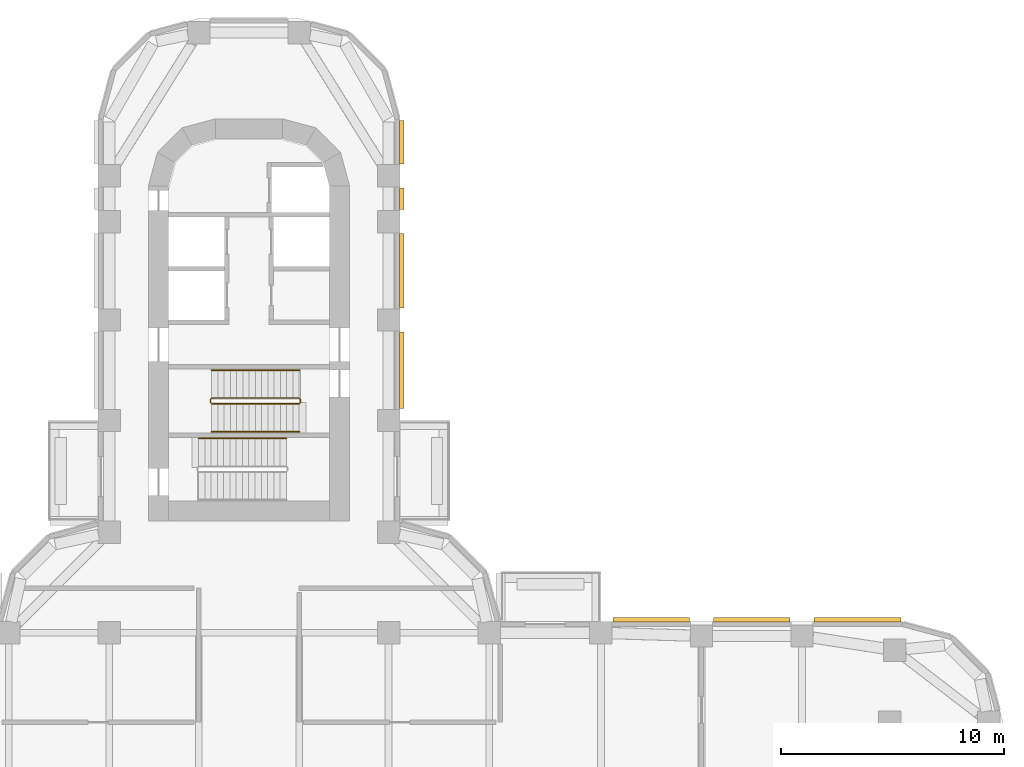
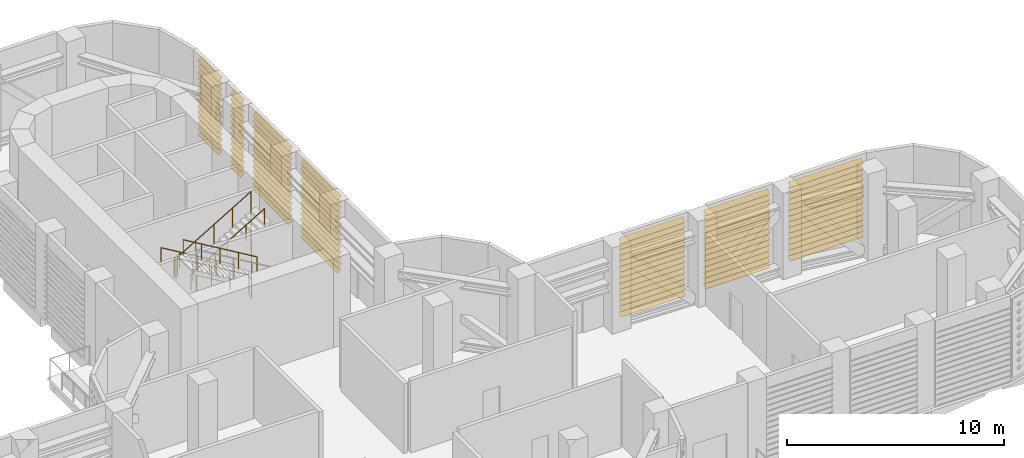
# One storey, part 17 of 20: 7 shading devices, 4 railings.
"""IFC4 building model written with IfcOpenShell, lengths in metres."""

from ifc_helpers import new_model, si_unit, direction, frame, origin, origin_2d, place, context, subcontext, project, spatial, polyline, circle, outline, extrude, source, transform, mapped, material, type_object, element, save


model = new_model("IFC4")

# Units and contexts
model_context = context("Model", 3, precision=1e-05, world=origin(), true_north=direction((0.0, 1.0)))
body_context = subcontext(model_context, "Body", "Model", "MODEL_VIEW")
ifc_project = project(units=[si_unit("LENGTHUNIT", "METRE"), si_unit("AREAUNIT", "SQUARE_METRE"), si_unit("VOLUMEUNIT", "CUBIC_METRE"), si_unit("PLANEANGLEUNIT", "RADIAN"), si_unit("MASSUNIT", "GRAM", prefix="KILO")], contexts=[model_context])

# Site, building, storey
site_placement = place(None, origin())
site = spatial("IfcSite", under=ifc_project, at=site_placement, CompositionType="ELEMENT")
building_placement = place(site_placement, origin())
building = spatial("IfcBuilding", under=site, at=building_placement, Name="Zarbagh Exchange Tower", CompositionType="ELEMENT")
storey_placement = place(building_placement, frame((0.0, 0.0, 81.60009765625)))
storey = spatial("IfcBuildingStorey", under=building, at=storey_placement, Name="L18", CompositionType="ELEMENT", Elevation=81.60009765625)

# Railings
ifc_material_1 = material(Name="Stainless steel", Category="steel")
railing_type_1 = type_object("IfcRailingType", Name="Stair guard 1100 mm", PredefinedType="GUARDRAIL", material=ifc_material_1)
railing_1_placement = place(storey_placement, frame((-1.669921875, 16.5, 2.66650390625)))
element("IfcRailing", 1, at=railing_1_placement, inside=storey, type_object=railing_type_1, Name="ST1 stair guard 1", PredefinedType="GUARDRAIL", context=body_context, shape_type="SweptSolid", body=[
    extrude(circle(Radius=0.02392578125, at=origin_2d()), frame((0.0, 0.0, 1.076171875), z_axis=(0.859272722373, 0.0, 0.511517730471), x_axis=(0.0, 1.0, 0.0)), (0.0, 0.0, 1.0), 4.56201171875),
    extrude(circle(Radius=0.02392578125, at=origin_2d()), frame((3.919921875, 0.0, 3.40966796875), z_axis=(0.010008762843, 0.010008762843, -0.999899819648), x_axis=(-0.707106781187, 0.707106781187, 0.0)), (0.0, 0.0, 1.0), 5.00048828125),
    extrude(circle(Radius=0.02392578125, at=origin_2d()), frame((3.969970703125, 0.050048828125, -1.59033203125), z_axis=(0.0, 1.0, 0.0), x_axis=(-1.0, 0.0, 0.0)), (0.0, 0.0, 1.0), 0.14990234375),
    extrude(circle(Radius=0.02392578125, at=origin_2d()), frame((3.969970703125, 0.199951171875, -1.59033203125), z_axis=(-0.27662974545, 0.27662974545, 0.920299933644), x_axis=(-0.707106781187, -0.707106781187, 0.0)), (0.0, 0.0, 1.0), 0.180908203125),
    extrude(circle(Radius=0.02392578125, at=origin_2d()), frame((3.919921875, 0.25, -1.423828125), z_axis=(-0.859272722373, 0.0, 0.511517730471), x_axis=(0.0, -1.0, 0.0)), (0.0, 0.0, 1.0), 4.56201171875),
    extrude(circle(Radius=0.02392578125, at=origin_2d()), frame((0.0, 0.25, 0.90966796875), z_axis=(-0.707106781187, -0.707106781187, 0.0), x_axis=(0.707106781187, -0.707106781187, 0.0)), (0.0, 0.0, 1.0), 0.07080078125),
    extrude(circle(Radius=0.02392578125, at=origin_2d()), frame((-0.050048828125, 0.199951171875, 0.90966796875), z_axis=(0.0, -1.0, 0.0), x_axis=(1.0, 0.0, 0.0)), (0.0, 0.0, 1.0), 0.14990234375),
    extrude(circle(Radius=0.02099609375, at=origin_2d()), origin(), (0.0, 0.0, 1.0), 1.052001953125),
    extrude(circle(Radius=0.02099609375, at=origin_2d()), frame((0.97998046875, 0.0, 0.58349609375)), (0.0, 0.0, 1.0), 1.052001953125),
    extrude(circle(Radius=0.02099609375, at=origin_2d()), frame((1.9599609375, 0.0, 1.166748046875)), (0.0, 0.0, 1.0), 1.052001953125),
    extrude(circle(Radius=0.02099609375, at=origin_2d()), frame((2.93994140625, 0.0, 1.75)), (0.0, 0.0, 1.0), 1.052001953125),
    extrude(circle(Radius=0.02099609375, at=origin_2d()), frame((3.919921875, 0.0, 2.33349609375)), (0.0, 0.0, 1.0), 1.052001953125),
    extrude(circle(Radius=0.02099609375, at=origin_2d()), frame((3.929931640625, 0.010009765625, 1.33349609375)), (0.0, 0.0, 1.0), 1.052001953125),
    extrude(circle(Radius=0.02099609375, at=origin_2d()), frame((3.93994140625, 0.02001953125, 0.33349609375)), (0.0, 0.0, 1.0), 1.052001953125),
    extrude(circle(Radius=0.02099609375, at=origin_2d()), frame((3.949951171875, 0.030029296875, -0.66650390625)), (0.0, 0.0, 1.0), 1.052001953125),
    extrude(circle(Radius=0.02099609375, at=origin_2d()), frame((3.9599609375, 0.0400390625, -1.66650390625)), (0.0, 0.0, 1.0), 1.052001953125),
    extrude(circle(Radius=0.02099609375, at=origin_2d()), frame((3.969970703125, 0.050048828125, -2.66650390625)), (0.0, 0.0, 1.0), 1.052001953125),
    extrude(circle(Radius=0.02099609375, at=origin_2d()), frame((3.969970703125, 0.199951171875, -2.66650390625)), (0.0, 0.0, 1.0), 1.052001953125),
    extrude(circle(Radius=0.02099609375, at=origin_2d()), frame((3.919921875, 0.25, -2.5)), (0.0, 0.0, 1.0), 1.052001953125),
    extrude(circle(Radius=0.02099609375, at=origin_2d()), frame((2.93994140625, 0.25, -1.91650390625)), (0.0, 0.0, 1.0), 1.052001953125),
    extrude(circle(Radius=0.02099609375, at=origin_2d()), frame((1.9599609375, 0.25, -1.333251953125)), (0.0, 0.0, 1.0), 1.052001953125),
    extrude(circle(Radius=0.02099609375, at=origin_2d()), frame((0.97998046875, 0.25, -0.75)), (0.0, 0.0, 1.0), 1.052001953125),
    extrude(circle(Radius=0.02099609375, at=origin_2d()), frame((0.0, 0.25, -0.16650390625)), (0.0, 0.0, 1.0), 1.052001953125),
    extrude(circle(Radius=0.02099609375, at=origin_2d()), frame((-0.050048828125, 0.199951171875, -0.16650390625)), (0.0, 0.0, 1.0), 1.052001953125),
    extrude(circle(Radius=0.02099609375, at=origin_2d()), frame((-0.050048828125, 0.050048828125, -0.16650390625)), (0.0, 0.0, 1.0), 1.052001953125),
])
railing_type_2 = type_object("IfcRailingType", Name="Stair handrail 900 mm", PredefinedType="HANDRAIL", material=ifc_material_1)
railing_2_placement = place(storey_placement, frame((2.25, 18.0, 0.16650390625)))
element("IfcRailing", 2, at=railing_2_placement, inside=storey, type_object=railing_type_2, Name="ST1 stair handrail 1", PredefinedType="HANDRAIL", context=body_context, shape_type="SweptSolid", body=[
    extrude(circle(Radius=0.02392578125, at=origin_2d()), frame((0.0, 0.0, 0.8759765625), z_axis=(-0.859272722373, 0.0, 0.511517730471), x_axis=(0.0, -1.0, 0.0)), (0.0, 0.0, 1.0), 4.56201171875),
    extrude(circle(Radius=0.02099609375, at=origin_2d()), origin(), (0.0, 0.0, 1.0), 0.851806640625),
    extrude(circle(Radius=0.02099609375, at=origin_2d()), frame((-0.97998046875, 0.0, 0.58349609375)), (0.0, 0.0, 1.0), 0.851806640625),
    extrude(circle(Radius=0.02099609375, at=origin_2d()), frame((-1.9599609375, 0.0, 1.166748046875)), (0.0, 0.0, 1.0), 0.851806640625),
    extrude(circle(Radius=0.02099609375, at=origin_2d()), frame((-2.93994140625, 0.0, 1.75)), (0.0, 0.0, 1.0), 0.851806640625),
    extrude(circle(Radius=0.02099609375, at=origin_2d()), frame((-3.919921875, 0.0, 2.33349609375)), (0.0, 0.0, 1.0), 0.851806640625),
])
railing_3_placement = place(storey_placement, frame((-1.669921875, 15.25, 2.66650390625)))
element("IfcRailing", 3, at=railing_3_placement, inside=storey, type_object=railing_type_2, Name="ST1 stair handrail 2", PredefinedType="HANDRAIL", context=body_context, shape_type="SweptSolid", body=[
    extrude(circle(Radius=0.02392578125, at=origin_2d()), frame((0.0, 0.0, 0.8759765625), z_axis=(0.859272722373, 0.0, 0.511517730471), x_axis=(0.0, 1.0, 0.0)), (0.0, 0.0, 1.0), 4.56201171875),
    extrude(circle(Radius=0.02099609375, at=origin_2d()), origin(), (0.0, 0.0, 1.0), 0.851806640625),
    extrude(circle(Radius=0.02099609375, at=origin_2d()), frame((0.97998046875, 0.0, 0.58349609375)), (0.0, 0.0, 1.0), 0.851806640625),
    extrude(circle(Radius=0.02099609375, at=origin_2d()), frame((1.9599609375, 0.0, 1.166748046875)), (0.0, 0.0, 1.0), 0.851806640625),
    extrude(circle(Radius=0.02099609375, at=origin_2d()), frame((2.93994140625, 0.0, 1.75)), (0.0, 0.0, 1.0), 0.851806640625),
    extrude(circle(Radius=0.02099609375, at=origin_2d()), frame((3.919921875, 0.0, 2.33349609375)), (0.0, 0.0, 1.0), 0.851806640625),
])
railing_4_placement = place(storey_placement, frame((1.669921875, 14.949951171875, 2.66650390625)))
element("IfcRailing", 4, at=railing_4_placement, inside=storey, type_object=railing_type_2, Name="ST2 stair handrail 2", PredefinedType="HANDRAIL", context=body_context, shape_type="SweptSolid", body=[
    extrude(circle(Radius=0.02392578125, at=origin_2d()), frame((0.0, 0.0, 0.8759765625), z_axis=(-0.859272722373, 0.0, 0.511517730471), x_axis=(0.0, -1.0, 0.0)), (0.0, 0.0, 1.0), 4.56201171875),
    extrude(circle(Radius=0.02099609375, at=origin_2d()), origin(), (0.0, 0.0, 1.0), 0.851806640625),
    extrude(circle(Radius=0.02099609375, at=origin_2d()), frame((-0.97998046875, 0.0, 0.58349609375)), (0.0, 0.0, 1.0), 0.851806640625),
    extrude(circle(Radius=0.02099609375, at=origin_2d()), frame((-1.9599609375, 0.0, 1.166748046875)), (0.0, 0.0, 1.0), 0.851806640625),
    extrude(circle(Radius=0.02099609375, at=origin_2d()), frame((-2.93994140625, 0.0, 1.75)), (0.0, 0.0, 1.0), 0.851806640625),
    extrude(circle(Radius=0.02099609375, at=origin_2d()), frame((-3.919921875, 0.0, 2.33349609375)), (0.0, 0.0, 1.0), 0.851806640625),
])

# Shading devices
ifc_material_2 = material(Name="Anodised aluminium", Category="aluminium")
shading_device_type = type_object("IfcShadingDeviceType", Name="LOUVRE plant louvre, fixed blades", PredefinedType="USERDEFINED", material=ifc_material_2)
shared_shape_1 = source(origin(), body_context, "Body", "SweptSolid", [
    extrude(outline(polyline([(0.0, 0.199951171875), (0.199951171875, 0.0), (0.199951171875, -0.02001953125), (0.0, 0.179931640625), (0.0, 0.199951171875)])), origin(), (0.0, 0.0, 1.0), 3.320068359375),
])
placement = place(storey_placement, origin())
element("IfcShadingDevice", 5, at=placement, inside=storey, type_object=shading_device_type, Name="LV04 plant louvre", ObjectType="LOUVRE", PredefinedType="USERDEFINED", context=body_context, shape_type="MappedRepresentation", body=[
    mapped(shared_shape_1, transform((6.72998046875, 20.7900390625, 0.199951171875), x_axis=(1.0, 0.0, 0.0), y_axis=(0.0, 0.0, -1.0), z_axis=(0.0, 1.0, 0.0))),
    mapped(shared_shape_1, transform((6.72998046875, 20.7900390625, 0.517822265625), x_axis=(1.0, 0.0, 0.0), y_axis=(0.0, 0.0, -1.0), z_axis=(0.0, 1.0, 0.0))),
    mapped(shared_shape_1, transform((6.72998046875, 20.7900390625, 0.835693359375), x_axis=(1.0, 0.0, 0.0), y_axis=(0.0, 0.0, -1.0), z_axis=(0.0, 1.0, 0.0))),
    mapped(shared_shape_1, transform((6.72998046875, 20.7900390625, 1.153564453125), x_axis=(1.0, 0.0, 0.0), y_axis=(0.0, 0.0, -1.0), z_axis=(0.0, 1.0, 0.0))),
    mapped(shared_shape_1, transform((6.72998046875, 20.7900390625, 1.471435546875), x_axis=(1.0, 0.0, 0.0), y_axis=(0.0, 0.0, -1.0), z_axis=(0.0, 1.0, 0.0))),
    mapped(shared_shape_1, transform((6.72998046875, 20.7900390625, 1.789306640625), x_axis=(1.0, 0.0, 0.0), y_axis=(0.0, 0.0, -1.0), z_axis=(0.0, 1.0, 0.0))),
    mapped(shared_shape_1, transform((6.72998046875, 20.7900390625, 2.10693359375), x_axis=(1.0, 0.0, 0.0), y_axis=(0.0, 0.0, -1.0), z_axis=(0.0, 1.0, 0.0))),
    mapped(shared_shape_1, transform((6.72998046875, 20.7900390625, 2.4248046875), x_axis=(1.0, 0.0, 0.0), y_axis=(0.0, 0.0, -1.0), z_axis=(0.0, 1.0, 0.0))),
    mapped(shared_shape_1, transform((6.72998046875, 20.7900390625, 2.74267578125), x_axis=(1.0, 0.0, 0.0), y_axis=(0.0, 0.0, -1.0), z_axis=(0.0, 1.0, 0.0))),
    mapped(shared_shape_1, transform((6.72998046875, 20.7900390625, 3.060546875), x_axis=(1.0, 0.0, 0.0), y_axis=(0.0, 0.0, -1.0), z_axis=(0.0, 1.0, 0.0))),
    mapped(shared_shape_1, transform((6.72998046875, 20.7900390625, 3.37841796875), x_axis=(1.0, 0.0, 0.0), y_axis=(0.0, 0.0, -1.0), z_axis=(0.0, 1.0, 0.0))),
    mapped(shared_shape_1, transform((6.72998046875, 20.7900390625, 3.6962890625), x_axis=(1.0, 0.0, 0.0), y_axis=(0.0, 0.0, -1.0), z_axis=(0.0, 1.0, 0.0))),
    mapped(shared_shape_1, transform((6.72998046875, 20.7900390625, 4.01416015625), x_axis=(1.0, 0.0, 0.0), y_axis=(0.0, 0.0, -1.0), z_axis=(0.0, 1.0, 0.0))),
    mapped(shared_shape_1, transform((6.72998046875, 20.7900390625, 4.33203125), x_axis=(1.0, 0.0, 0.0), y_axis=(0.0, 0.0, -1.0), z_axis=(0.0, 1.0, 0.0))),
])
shared_shape_2 = source(origin(), body_context, "Body", "SweptSolid", [
    extrude(outline(polyline([(0.0, 0.199951171875), (0.199951171875, 0.0), (0.199951171875, -0.02001953125), (0.0, 0.179931640625), (0.0, 0.199951171875)])), origin(), (0.0, 0.0, 1.0), 3.419921875),
])
element("IfcShadingDevice", 6, at=placement, inside=storey, type_object=shading_device_type, Name="LV03 plant louvre", ObjectType="LOUVRE", PredefinedType="USERDEFINED", context=body_context, shape_type="MappedRepresentation", body=[
    mapped(shared_shape_2, transform((24.2099609375, 6.72998046875, 0.199951171875), x_axis=(0.0, 1.0, 0.0), y_axis=(0.0, 0.0, -1.0), z_axis=(-1.0, 0.0, 0.0))),
    mapped(shared_shape_2, transform((24.2099609375, 6.72998046875, 0.517822265625), x_axis=(0.0, 1.0, 0.0), y_axis=(0.0, 0.0, -1.0), z_axis=(-1.0, 0.0, 0.0))),
    mapped(shared_shape_2, transform((24.2099609375, 6.72998046875, 0.835693359375), x_axis=(0.0, 1.0, 0.0), y_axis=(0.0, 0.0, -1.0), z_axis=(-1.0, 0.0, 0.0))),
    mapped(shared_shape_2, transform((24.2099609375, 6.72998046875, 1.153564453125), x_axis=(0.0, 1.0, 0.0), y_axis=(0.0, 0.0, -1.0), z_axis=(-1.0, 0.0, 0.0))),
    mapped(shared_shape_2, transform((24.2099609375, 6.72998046875, 1.471435546875), x_axis=(0.0, 1.0, 0.0), y_axis=(0.0, 0.0, -1.0), z_axis=(-1.0, 0.0, 0.0))),
    mapped(shared_shape_2, transform((24.2099609375, 6.72998046875, 1.789306640625), x_axis=(0.0, 1.0, 0.0), y_axis=(0.0, 0.0, -1.0), z_axis=(-1.0, 0.0, 0.0))),
    mapped(shared_shape_2, transform((24.2099609375, 6.72998046875, 2.10693359375), x_axis=(0.0, 1.0, 0.0), y_axis=(0.0, 0.0, -1.0), z_axis=(-1.0, 0.0, 0.0))),
    mapped(shared_shape_2, transform((24.2099609375, 6.72998046875, 2.4248046875), x_axis=(0.0, 1.0, 0.0), y_axis=(0.0, 0.0, -1.0), z_axis=(-1.0, 0.0, 0.0))),
    mapped(shared_shape_2, transform((24.2099609375, 6.72998046875, 2.74267578125), x_axis=(0.0, 1.0, 0.0), y_axis=(0.0, 0.0, -1.0), z_axis=(-1.0, 0.0, 0.0))),
    mapped(shared_shape_2, transform((24.2099609375, 6.72998046875, 3.060546875), x_axis=(0.0, 1.0, 0.0), y_axis=(0.0, 0.0, -1.0), z_axis=(-1.0, 0.0, 0.0))),
    mapped(shared_shape_2, transform((24.2099609375, 6.72998046875, 3.37841796875), x_axis=(0.0, 1.0, 0.0), y_axis=(0.0, 0.0, -1.0), z_axis=(-1.0, 0.0, 0.0))),
    mapped(shared_shape_2, transform((24.2099609375, 6.72998046875, 3.6962890625), x_axis=(0.0, 1.0, 0.0), y_axis=(0.0, 0.0, -1.0), z_axis=(-1.0, 0.0, 0.0))),
    mapped(shared_shape_2, transform((24.2099609375, 6.72998046875, 4.01416015625), x_axis=(0.0, 1.0, 0.0), y_axis=(0.0, 0.0, -1.0), z_axis=(-1.0, 0.0, 0.0))),
    mapped(shared_shape_2, transform((24.2099609375, 6.72998046875, 4.33203125), x_axis=(0.0, 1.0, 0.0), y_axis=(0.0, 0.0, -1.0), z_axis=(-1.0, 0.0, 0.0))),
])
element("IfcShadingDevice", 7, at=placement, inside=storey, type_object=shading_device_type, Name="LV03 plant louvre", ObjectType="LOUVRE", PredefinedType="USERDEFINED", context=body_context, shape_type="MappedRepresentation", body=[
    mapped(shared_shape_2, transform((19.7099609375, 6.72998046875, 0.199951171875), x_axis=(0.0, 1.0, 0.0), y_axis=(0.0, 0.0, -1.0), z_axis=(-1.0, 0.0, 0.0))),
    mapped(shared_shape_2, transform((19.7099609375, 6.72998046875, 0.517822265625), x_axis=(0.0, 1.0, 0.0), y_axis=(0.0, 0.0, -1.0), z_axis=(-1.0, 0.0, 0.0))),
    mapped(shared_shape_2, transform((19.7099609375, 6.72998046875, 0.835693359375), x_axis=(0.0, 1.0, 0.0), y_axis=(0.0, 0.0, -1.0), z_axis=(-1.0, 0.0, 0.0))),
    mapped(shared_shape_2, transform((19.7099609375, 6.72998046875, 1.153564453125), x_axis=(0.0, 1.0, 0.0), y_axis=(0.0, 0.0, -1.0), z_axis=(-1.0, 0.0, 0.0))),
    mapped(shared_shape_2, transform((19.7099609375, 6.72998046875, 1.471435546875), x_axis=(0.0, 1.0, 0.0), y_axis=(0.0, 0.0, -1.0), z_axis=(-1.0, 0.0, 0.0))),
    mapped(shared_shape_2, transform((19.7099609375, 6.72998046875, 1.789306640625), x_axis=(0.0, 1.0, 0.0), y_axis=(0.0, 0.0, -1.0), z_axis=(-1.0, 0.0, 0.0))),
    mapped(shared_shape_2, transform((19.7099609375, 6.72998046875, 2.10693359375), x_axis=(0.0, 1.0, 0.0), y_axis=(0.0, 0.0, -1.0), z_axis=(-1.0, 0.0, 0.0))),
    mapped(shared_shape_2, transform((19.7099609375, 6.72998046875, 2.4248046875), x_axis=(0.0, 1.0, 0.0), y_axis=(0.0, 0.0, -1.0), z_axis=(-1.0, 0.0, 0.0))),
    mapped(shared_shape_2, transform((19.7099609375, 6.72998046875, 2.74267578125), x_axis=(0.0, 1.0, 0.0), y_axis=(0.0, 0.0, -1.0), z_axis=(-1.0, 0.0, 0.0))),
    mapped(shared_shape_2, transform((19.7099609375, 6.72998046875, 3.060546875), x_axis=(0.0, 1.0, 0.0), y_axis=(0.0, 0.0, -1.0), z_axis=(-1.0, 0.0, 0.0))),
    mapped(shared_shape_2, transform((19.7099609375, 6.72998046875, 3.37841796875), x_axis=(0.0, 1.0, 0.0), y_axis=(0.0, 0.0, -1.0), z_axis=(-1.0, 0.0, 0.0))),
    mapped(shared_shape_2, transform((19.7099609375, 6.72998046875, 3.6962890625), x_axis=(0.0, 1.0, 0.0), y_axis=(0.0, 0.0, -1.0), z_axis=(-1.0, 0.0, 0.0))),
    mapped(shared_shape_2, transform((19.7099609375, 6.72998046875, 4.01416015625), x_axis=(0.0, 1.0, 0.0), y_axis=(0.0, 0.0, -1.0), z_axis=(-1.0, 0.0, 0.0))),
    mapped(shared_shape_2, transform((19.7099609375, 6.72998046875, 4.33203125), x_axis=(0.0, 1.0, 0.0), y_axis=(0.0, 0.0, -1.0), z_axis=(-1.0, 0.0, 0.0))),
])
element("IfcShadingDevice", 8, at=placement, inside=storey, type_object=shading_device_type, Name="LV04 plant louvre", ObjectType="LOUVRE", PredefinedType="USERDEFINED", context=body_context, shape_type="MappedRepresentation", body=[
    mapped(shared_shape_2, transform((6.72998046875, 16.2900390625, 0.199951171875), x_axis=(1.0, 0.0, 0.0), y_axis=(0.0, 0.0, -1.0), z_axis=(0.0, 1.0, 0.0))),
    mapped(shared_shape_2, transform((6.72998046875, 16.2900390625, 0.517822265625), x_axis=(1.0, 0.0, 0.0), y_axis=(0.0, 0.0, -1.0), z_axis=(0.0, 1.0, 0.0))),
    mapped(shared_shape_2, transform((6.72998046875, 16.2900390625, 0.835693359375), x_axis=(1.0, 0.0, 0.0), y_axis=(0.0, 0.0, -1.0), z_axis=(0.0, 1.0, 0.0))),
    mapped(shared_shape_2, transform((6.72998046875, 16.2900390625, 1.153564453125), x_axis=(1.0, 0.0, 0.0), y_axis=(0.0, 0.0, -1.0), z_axis=(0.0, 1.0, 0.0))),
    mapped(shared_shape_2, transform((6.72998046875, 16.2900390625, 1.471435546875), x_axis=(1.0, 0.0, 0.0), y_axis=(0.0, 0.0, -1.0), z_axis=(0.0, 1.0, 0.0))),
    mapped(shared_shape_2, transform((6.72998046875, 16.2900390625, 1.789306640625), x_axis=(1.0, 0.0, 0.0), y_axis=(0.0, 0.0, -1.0), z_axis=(0.0, 1.0, 0.0))),
    mapped(shared_shape_2, transform((6.72998046875, 16.2900390625, 2.10693359375), x_axis=(1.0, 0.0, 0.0), y_axis=(0.0, 0.0, -1.0), z_axis=(0.0, 1.0, 0.0))),
    mapped(shared_shape_2, transform((6.72998046875, 16.2900390625, 2.4248046875), x_axis=(1.0, 0.0, 0.0), y_axis=(0.0, 0.0, -1.0), z_axis=(0.0, 1.0, 0.0))),
    mapped(shared_shape_2, transform((6.72998046875, 16.2900390625, 2.74267578125), x_axis=(1.0, 0.0, 0.0), y_axis=(0.0, 0.0, -1.0), z_axis=(0.0, 1.0, 0.0))),
    mapped(shared_shape_2, transform((6.72998046875, 16.2900390625, 3.060546875), x_axis=(1.0, 0.0, 0.0), y_axis=(0.0, 0.0, -1.0), z_axis=(0.0, 1.0, 0.0))),
    mapped(shared_shape_2, transform((6.72998046875, 16.2900390625, 3.37841796875), x_axis=(1.0, 0.0, 0.0), y_axis=(0.0, 0.0, -1.0), z_axis=(0.0, 1.0, 0.0))),
    mapped(shared_shape_2, transform((6.72998046875, 16.2900390625, 3.6962890625), x_axis=(1.0, 0.0, 0.0), y_axis=(0.0, 0.0, -1.0), z_axis=(0.0, 1.0, 0.0))),
    mapped(shared_shape_2, transform((6.72998046875, 16.2900390625, 4.01416015625), x_axis=(1.0, 0.0, 0.0), y_axis=(0.0, 0.0, -1.0), z_axis=(0.0, 1.0, 0.0))),
    mapped(shared_shape_2, transform((6.72998046875, 16.2900390625, 4.33203125), x_axis=(1.0, 0.0, 0.0), y_axis=(0.0, 0.0, -1.0), z_axis=(0.0, 1.0, 0.0))),
])
shared_shape_3 = source(origin(), body_context, "Body", "SweptSolid", [
    extrude(outline(polyline([(0.0, 0.199951171875), (0.199951171875, 0.0), (0.199951171875, -0.02001953125), (0.0, 0.179931640625), (0.0, 0.199951171875)])), origin(), (0.0, 0.0, 1.0), 3.894287109375),
])
element("IfcShadingDevice", 9, at=placement, inside=storey, type_object=shading_device_type, Name="LV03 plant louvre", ObjectType="LOUVRE", PredefinedType="USERDEFINED", context=body_context, shape_type="MappedRepresentation", body=[
    mapped(shared_shape_3, transform((29.18408203125, 6.72998046875, 0.199951171875), x_axis=(0.0, 1.0, 0.0), y_axis=(0.0, 0.0, -1.0), z_axis=(-1.0, 0.0, 0.0))),
    mapped(shared_shape_3, transform((29.18408203125, 6.72998046875, 0.517822265625), x_axis=(0.0, 1.0, 0.0), y_axis=(0.0, 0.0, -1.0), z_axis=(-1.0, 0.0, 0.0))),
    mapped(shared_shape_3, transform((29.18408203125, 6.72998046875, 0.835693359375), x_axis=(0.0, 1.0, 0.0), y_axis=(0.0, 0.0, -1.0), z_axis=(-1.0, 0.0, 0.0))),
    mapped(shared_shape_3, transform((29.18408203125, 6.72998046875, 1.153564453125), x_axis=(0.0, 1.0, 0.0), y_axis=(0.0, 0.0, -1.0), z_axis=(-1.0, 0.0, 0.0))),
    mapped(shared_shape_3, transform((29.18408203125, 6.72998046875, 1.471435546875), x_axis=(0.0, 1.0, 0.0), y_axis=(0.0, 0.0, -1.0), z_axis=(-1.0, 0.0, 0.0))),
    mapped(shared_shape_3, transform((29.18408203125, 6.72998046875, 1.789306640625), x_axis=(0.0, 1.0, 0.0), y_axis=(0.0, 0.0, -1.0), z_axis=(-1.0, 0.0, 0.0))),
    mapped(shared_shape_3, transform((29.18408203125, 6.72998046875, 2.10693359375), x_axis=(0.0, 1.0, 0.0), y_axis=(0.0, 0.0, -1.0), z_axis=(-1.0, 0.0, 0.0))),
    mapped(shared_shape_3, transform((29.18408203125, 6.72998046875, 2.4248046875), x_axis=(0.0, 1.0, 0.0), y_axis=(0.0, 0.0, -1.0), z_axis=(-1.0, 0.0, 0.0))),
    mapped(shared_shape_3, transform((29.18408203125, 6.72998046875, 2.74267578125), x_axis=(0.0, 1.0, 0.0), y_axis=(0.0, 0.0, -1.0), z_axis=(-1.0, 0.0, 0.0))),
    mapped(shared_shape_3, transform((29.18408203125, 6.72998046875, 3.060546875), x_axis=(0.0, 1.0, 0.0), y_axis=(0.0, 0.0, -1.0), z_axis=(-1.0, 0.0, 0.0))),
    mapped(shared_shape_3, transform((29.18408203125, 6.72998046875, 3.37841796875), x_axis=(0.0, 1.0, 0.0), y_axis=(0.0, 0.0, -1.0), z_axis=(-1.0, 0.0, 0.0))),
    mapped(shared_shape_3, transform((29.18408203125, 6.72998046875, 3.6962890625), x_axis=(0.0, 1.0, 0.0), y_axis=(0.0, 0.0, -1.0), z_axis=(-1.0, 0.0, 0.0))),
    mapped(shared_shape_3, transform((29.18408203125, 6.72998046875, 4.01416015625), x_axis=(0.0, 1.0, 0.0), y_axis=(0.0, 0.0, -1.0), z_axis=(-1.0, 0.0, 0.0))),
    mapped(shared_shape_3, transform((29.18408203125, 6.72998046875, 4.33203125), x_axis=(0.0, 1.0, 0.0), y_axis=(0.0, 0.0, -1.0), z_axis=(-1.0, 0.0, 0.0))),
])
shared_shape_4 = source(origin(), body_context, "Body", "SweptSolid", [
    extrude(outline(polyline([(0.0, 0.199951171875), (0.199951171875, 0.0), (0.199951171875, -0.02001953125), (0.0, 0.179931640625), (0.0, 0.199951171875)])), origin(), (0.0, 0.0, 1.0), 0.969970703125),
])
element("IfcShadingDevice", 10, at=placement, inside=storey, type_object=shading_device_type, Name="LV04 plant louvre", ObjectType="LOUVRE", PredefinedType="USERDEFINED", context=body_context, shape_type="MappedRepresentation", body=[
    mapped(shared_shape_4, transform((6.72998046875, 25.18994140625, 0.199951171875), x_axis=(1.0, 0.0, 0.0), y_axis=(0.0, 0.0, -1.0), z_axis=(0.0, 1.0, 0.0))),
    mapped(shared_shape_4, transform((6.72998046875, 25.18994140625, 0.517822265625), x_axis=(1.0, 0.0, 0.0), y_axis=(0.0, 0.0, -1.0), z_axis=(0.0, 1.0, 0.0))),
    mapped(shared_shape_4, transform((6.72998046875, 25.18994140625, 0.835693359375), x_axis=(1.0, 0.0, 0.0), y_axis=(0.0, 0.0, -1.0), z_axis=(0.0, 1.0, 0.0))),
    mapped(shared_shape_4, transform((6.72998046875, 25.18994140625, 1.153564453125), x_axis=(1.0, 0.0, 0.0), y_axis=(0.0, 0.0, -1.0), z_axis=(0.0, 1.0, 0.0))),
    mapped(shared_shape_4, transform((6.72998046875, 25.18994140625, 1.471435546875), x_axis=(1.0, 0.0, 0.0), y_axis=(0.0, 0.0, -1.0), z_axis=(0.0, 1.0, 0.0))),
    mapped(shared_shape_4, transform((6.72998046875, 25.18994140625, 1.789306640625), x_axis=(1.0, 0.0, 0.0), y_axis=(0.0, 0.0, -1.0), z_axis=(0.0, 1.0, 0.0))),
    mapped(shared_shape_4, transform((6.72998046875, 25.18994140625, 2.10693359375), x_axis=(1.0, 0.0, 0.0), y_axis=(0.0, 0.0, -1.0), z_axis=(0.0, 1.0, 0.0))),
    mapped(shared_shape_4, transform((6.72998046875, 25.18994140625, 2.4248046875), x_axis=(1.0, 0.0, 0.0), y_axis=(0.0, 0.0, -1.0), z_axis=(0.0, 1.0, 0.0))),
    mapped(shared_shape_4, transform((6.72998046875, 25.18994140625, 2.74267578125), x_axis=(1.0, 0.0, 0.0), y_axis=(0.0, 0.0, -1.0), z_axis=(0.0, 1.0, 0.0))),
    mapped(shared_shape_4, transform((6.72998046875, 25.18994140625, 3.060546875), x_axis=(1.0, 0.0, 0.0), y_axis=(0.0, 0.0, -1.0), z_axis=(0.0, 1.0, 0.0))),
    mapped(shared_shape_4, transform((6.72998046875, 25.18994140625, 3.37841796875), x_axis=(1.0, 0.0, 0.0), y_axis=(0.0, 0.0, -1.0), z_axis=(0.0, 1.0, 0.0))),
    mapped(shared_shape_4, transform((6.72998046875, 25.18994140625, 3.6962890625), x_axis=(1.0, 0.0, 0.0), y_axis=(0.0, 0.0, -1.0), z_axis=(0.0, 1.0, 0.0))),
    mapped(shared_shape_4, transform((6.72998046875, 25.18994140625, 4.01416015625), x_axis=(1.0, 0.0, 0.0), y_axis=(0.0, 0.0, -1.0), z_axis=(0.0, 1.0, 0.0))),
    mapped(shared_shape_4, transform((6.72998046875, 25.18994140625, 4.33203125), x_axis=(1.0, 0.0, 0.0), y_axis=(0.0, 0.0, -1.0), z_axis=(0.0, 1.0, 0.0))),
])
shared_shape_5 = source(origin(), body_context, "Body", "SweptSolid", [
    extrude(outline(polyline([(0.0, 0.199951171875), (0.199951171875, 0.0), (0.199951171875, -0.02001953125), (0.0, 0.179931640625), (0.0, 0.199951171875)])), origin(), (0.0, 0.0, 1.0), 1.944091796875),
])
element("IfcShadingDevice", 11, at=placement, inside=storey, type_object=shading_device_type, Name="LV04 plant louvre", ObjectType="LOUVRE", PredefinedType="USERDEFINED", context=body_context, shape_type="MappedRepresentation", body=[
    mapped(shared_shape_5, transform((6.72998046875, 27.239990234375, 0.199951171875), x_axis=(1.0, 0.0, 0.0), y_axis=(0.0, 0.0, -1.0), z_axis=(0.0, 1.0, 0.0))),
    mapped(shared_shape_5, transform((6.72998046875, 27.239990234375, 0.517822265625), x_axis=(1.0, 0.0, 0.0), y_axis=(0.0, 0.0, -1.0), z_axis=(0.0, 1.0, 0.0))),
    mapped(shared_shape_5, transform((6.72998046875, 27.239990234375, 0.835693359375), x_axis=(1.0, 0.0, 0.0), y_axis=(0.0, 0.0, -1.0), z_axis=(0.0, 1.0, 0.0))),
    mapped(shared_shape_5, transform((6.72998046875, 27.239990234375, 1.153564453125), x_axis=(1.0, 0.0, 0.0), y_axis=(0.0, 0.0, -1.0), z_axis=(0.0, 1.0, 0.0))),
    mapped(shared_shape_5, transform((6.72998046875, 27.239990234375, 1.471435546875), x_axis=(1.0, 0.0, 0.0), y_axis=(0.0, 0.0, -1.0), z_axis=(0.0, 1.0, 0.0))),
    mapped(shared_shape_5, transform((6.72998046875, 27.239990234375, 1.789306640625), x_axis=(1.0, 0.0, 0.0), y_axis=(0.0, 0.0, -1.0), z_axis=(0.0, 1.0, 0.0))),
    mapped(shared_shape_5, transform((6.72998046875, 27.239990234375, 2.10693359375), x_axis=(1.0, 0.0, 0.0), y_axis=(0.0, 0.0, -1.0), z_axis=(0.0, 1.0, 0.0))),
    mapped(shared_shape_5, transform((6.72998046875, 27.239990234375, 2.4248046875), x_axis=(1.0, 0.0, 0.0), y_axis=(0.0, 0.0, -1.0), z_axis=(0.0, 1.0, 0.0))),
    mapped(shared_shape_5, transform((6.72998046875, 27.239990234375, 2.74267578125), x_axis=(1.0, 0.0, 0.0), y_axis=(0.0, 0.0, -1.0), z_axis=(0.0, 1.0, 0.0))),
    mapped(shared_shape_5, transform((6.72998046875, 27.239990234375, 3.060546875), x_axis=(1.0, 0.0, 0.0), y_axis=(0.0, 0.0, -1.0), z_axis=(0.0, 1.0, 0.0))),
    mapped(shared_shape_5, transform((6.72998046875, 27.239990234375, 3.37841796875), x_axis=(1.0, 0.0, 0.0), y_axis=(0.0, 0.0, -1.0), z_axis=(0.0, 1.0, 0.0))),
    mapped(shared_shape_5, transform((6.72998046875, 27.239990234375, 3.6962890625), x_axis=(1.0, 0.0, 0.0), y_axis=(0.0, 0.0, -1.0), z_axis=(0.0, 1.0, 0.0))),
    mapped(shared_shape_5, transform((6.72998046875, 27.239990234375, 4.01416015625), x_axis=(1.0, 0.0, 0.0), y_axis=(0.0, 0.0, -1.0), z_axis=(0.0, 1.0, 0.0))),
    mapped(shared_shape_5, transform((6.72998046875, 27.239990234375, 4.33203125), x_axis=(1.0, 0.0, 0.0), y_axis=(0.0, 0.0, -1.0), z_axis=(0.0, 1.0, 0.0))),
])

save(model, "model.ifc")
